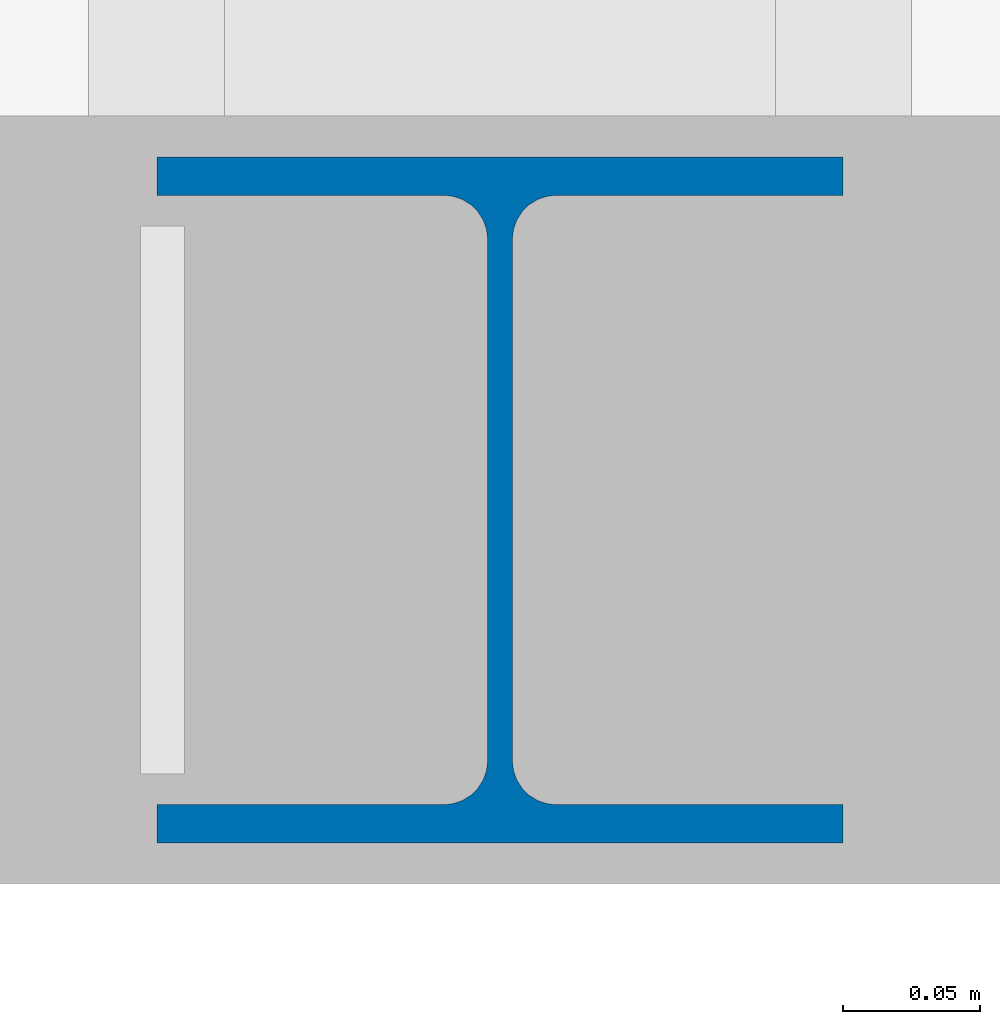
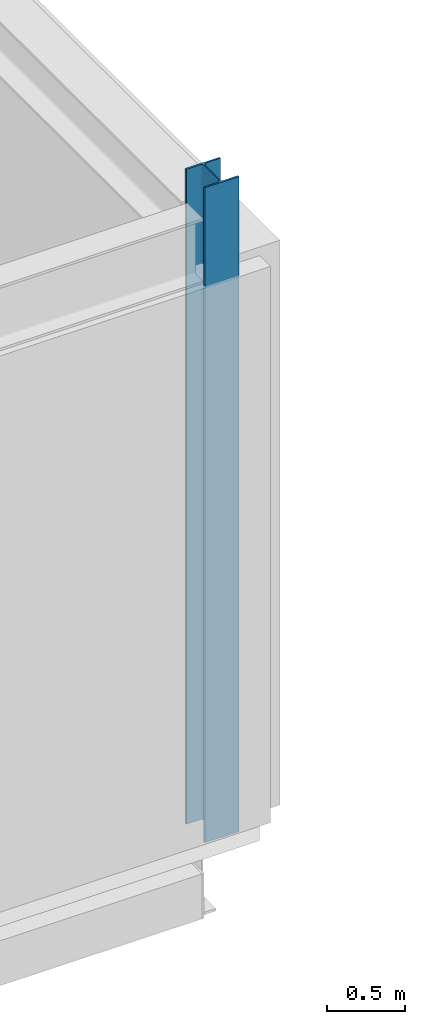
# One storey, part 2 of 57: 1 column.
"""IFC4 building model written with IfcOpenShell, lengths in metres."""

from ifc_helpers import new_model, si_unit, direction, frame, origin, origin_2d, place, context, subcontext, project, spatial, i_section, extrude, material, material_profile, profile_set, type_object, element, save


model = new_model("IFC4")

# Units and contexts
model_context = context("Model", 3, precision=1e-05, world=origin(), true_north=direction((0.0, 1.0)))
body_context = subcontext(model_context, "Body", "Model", "MODEL_VIEW")
ifc_project = project(units=[si_unit("LENGTHUNIT", "METRE"), si_unit("AREAUNIT", "SQUARE_METRE"), si_unit("VOLUMEUNIT", "CUBIC_METRE"), si_unit("PLANEANGLEUNIT", "RADIAN"), si_unit("MASSUNIT", "GRAM", prefix="KILO"), si_unit("THERMODYNAMICTEMPERATUREUNIT", "KELVIN")], contexts=[model_context])

# Site, building, storey
site_placement = place(None, origin())
site = spatial("IfcSite", under=ifc_project, at=site_placement, CompositionType="ELEMENT")
building_placement = place(site_placement, origin())
building = spatial("IfcBuilding", under=site, at=building_placement, Name="Lustrewick Department Store", CompositionType="ELEMENT")
storey_placement = place(building_placement, frame((0.0, 0.0, 26.699951171875)))
storey = spatial("IfcBuildingStorey", under=building, at=storey_placement, Name="L06", CompositionType="ELEMENT", Elevation=26.699951171875)

# Column
ifc_material = material(Name="Structural steel Q355B", Category="steel")
ifc_material_profile = material_profile(ifc_material, i_section(OverallWidth=0.25, OverallDepth=0.25, WebThickness=0.009033203125, FlangeThickness=0.013916015625, FilletRadius=0.01611328125, at=origin_2d()), Name="HW 250x250x9x14")
ifc_profile_set = profile_set([ifc_material_profile], Name="Structural steel Q355B")
column_type = type_object("IfcColumnType", Name="CE08", PredefinedType="COLUMN", material=ifc_profile_set)
column_placement = place(storey_placement, frame((58.300048828125, 42.0, 0.0), z_axis=(0.0, 0.0, 1.0), x_axis=(1.0, 0.0, 0.0)))
element("IfcColumn", 1, at=column_placement, inside=storey, type_object=column_type, Name="L06 V1 Column CE08", PredefinedType="COLUMN", context=body_context, shape_type="SweptSolid", body=[
    extrude(i_section(OverallWidth=0.25, OverallDepth=0.25, WebThickness=0.009033203125, FlangeThickness=0.013916015625, FilletRadius=0.01611328125, at=origin_2d()), origin(), (0.0, 0.0, 1.0), 5.10009765625),
])

save(model, "model.ifc")
